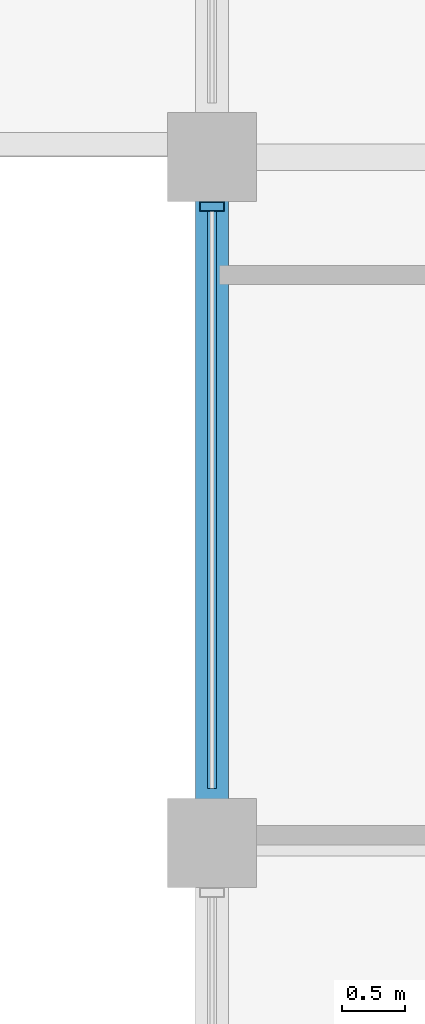
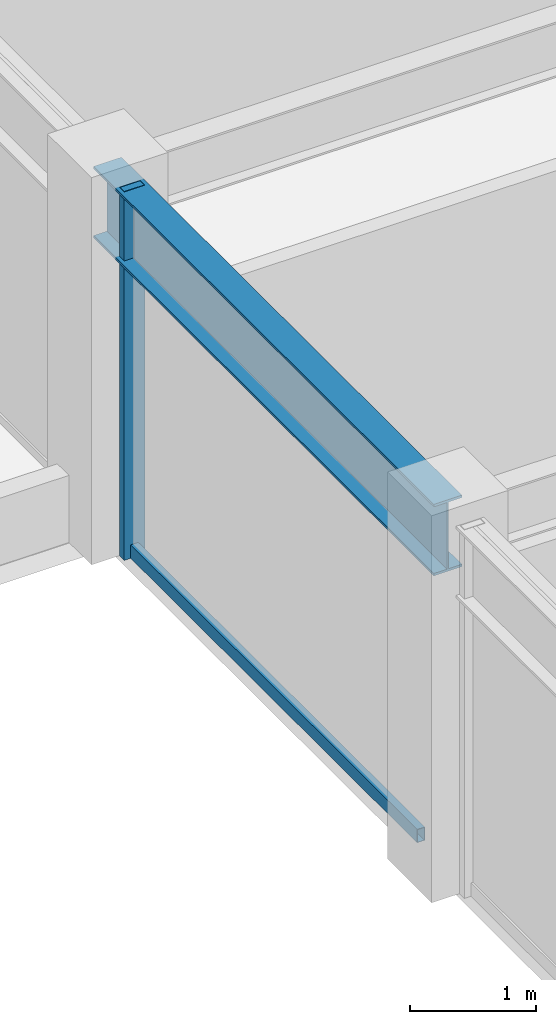
# One storey, part 6 of 29: 2 members, 1 beam, 1 element without a shape of its own.
"""IFC4 building model written with IfcOpenShell, lengths in metres."""

from ifc_helpers import new_model, si_unit, direction, frame, origin, origin_2d, place, context, subcontext, project, spatial, hollow_rectangle, i_section, extrude, material, layer, layer_set, material_profile, profile_set, type_object, element, aggregate, save


model = new_model("IFC4")

# Units and contexts
model_context = context("Model", 3, precision=1e-05, world=origin(), true_north=direction((0.0, 1.0)))
body_context = subcontext(model_context, "Body", "Model", "MODEL_VIEW")
ifc_project = project(units=[si_unit("LENGTHUNIT", "METRE"), si_unit("AREAUNIT", "SQUARE_METRE"), si_unit("VOLUMEUNIT", "CUBIC_METRE"), si_unit("PLANEANGLEUNIT", "RADIAN"), si_unit("MASSUNIT", "GRAM", prefix="KILO")], contexts=[model_context])

# Site, building, storey
site_placement = place(None, origin())
site = spatial("IfcSite", under=ifc_project, at=site_placement, CompositionType="ELEMENT")
building_placement = place(site_placement, origin())
building = spatial("IfcBuilding", under=site, at=building_placement, Name="Surkhivell Harbour Commons", CompositionType="ELEMENT")
storey_placement = place(building_placement, frame((0.0, 0.0, 326.25)))
storey = spatial("IfcBuildingStorey", under=building, at=storey_placement, Name="L85", CompositionType="ELEMENT", Elevation=326.25)

# Beam
ifc_material_1 = material(Name="Steel S355", Category="steel")
ifc_material_profile_1 = material_profile(ifc_material_1, i_section(OverallWidth=0.256103515625, OverallDepth=0.693115234375, WebThickness=0.014404296875, FlangeThickness=0.023681640625, at=origin_2d()), Name="UB686x254x170")
ifc_profile_set_1 = profile_set([ifc_material_profile_1], Name="Steel S355")
beam_type = type_object("IfcBeamType", Name="BM-SPN-686", PredefinedType="SPANDREL", material=ifc_profile_set_1)
beam_placement = place(storey_placement, frame((-27.0, -5.39990234375, 3.223388671875), z_axis=(0.0, 1.0, 0.0), x_axis=(-1.0, 0.0, 0.0)))
element("IfcBeam", 1, at=beam_placement, inside=storey, type_object=beam_type, Name="L85 Tube Spandrel (-27.0,-5.4)", PredefinedType="SPANDREL", context=body_context, shape_type="SweptSolid", body=[
    extrude(i_section(OverallWidth=0.256103515625, OverallDepth=0.693115234375, WebThickness=0.014404296875, FlangeThickness=0.023681640625, at=origin_2d()), origin(), (0.0, 0.0, 1.0), 5.39990234375),
])

# Curtain wall, members
ifc_material_2 = material(Name="Anodised pale-metal aluminium and insulated glazing", Category="aluminium")
ifc_layer = layer(ifc_material_2, 0.175048828125)
ifc_layer_set = layer_set([ifc_layer], Name="Anodised pale-metal aluminium and insulated glazing")
curtain_wall_type = type_object("IfcCurtainWallType", Name="CW-SYS-Z4", PredefinedType="NOTDEFINED", material=ifc_layer_set)
curtain_wall_placement = place(storey_placement, origin())
curtain_wall = element("IfcCurtainWall", 2, at=curtain_wall_placement, inside=storey, type_object=curtain_wall_type, Name="L85 Curtain Wall CW-L85-E12S1", PredefinedType="NOTDEFINED")
ifc_material_3 = material(Name="Anodised pale-metal aluminium alloy 6063-T6", Category="aluminium")
ifc_material_profile_2 = material_profile(ifc_material_3, hollow_rectangle(XDim=0.074951171875, YDim=0.18994140625, WallThickness=0.00390625, at=origin_2d()), Name="ALU-MULL-75x190")
ifc_profile_set_2 = profile_set([ifc_material_profile_2], Name="Anodised pale-metal aluminium alloy 6063-T6")
member_type_1 = type_object("IfcMemberType", Name="CWM-190", PredefinedType="MULLION", material=ifc_profile_set_2)
member_1_placement = place(storey_placement, frame((-27.0, -0.389404296875, 0.0), z_axis=(0.0, 0.0, 1.0), x_axis=(0.0, -1.0, 0.0)))
member_1 = element("IfcMember", 3, at=member_1_placement, type_object=member_type_1, Name="CW-Z4 mullion 5", PredefinedType="MULLION", context=body_context, shape_type="SweptSolid", body=[
    extrude(hollow_rectangle(XDim=0.074951171875, YDim=0.18994140625, WallThickness=0.00390625, at=origin_2d()), origin(), (0.0, 0.0, 1.0), 3.570068359375),
])
ifc_material_4 = material(Name="Champagne anodised aluminium alloy 6063-T6", Category="aluminium")
ifc_material_profile_3 = material_profile(ifc_material_4, hollow_rectangle(XDim=0.070068359375, YDim=0.1298828125, WallThickness=0.00341796875, at=origin_2d()), Name="ALU-TRAN-70x130")
ifc_profile_set_3 = profile_set([ifc_material_profile_3], Name="Champagne anodised aluminium alloy 6063-T6")
member_type_2 = type_object("IfcMemberType", Name="CWT-130", PredefinedType="USERDEFINED", material=ifc_profile_set_3)
member_2_placement = place(storey_placement, frame((-27.0, -0.427001953125, 0.06494140625), z_axis=(0.0, -1.0, 0.0), x_axis=(1.0, 0.0, 0.0)))
member_2 = element("IfcMember", 4, at=member_2_placement, type_object=member_type_2, Name="CW-Z4 transom 5.1", ObjectType="TRANSOM", PredefinedType="USERDEFINED", context=body_context, shape_type="SweptSolid", body=[
    extrude(hollow_rectangle(XDim=0.070068359375, YDim=0.1298828125, WallThickness=0.00341796875, at=origin_2d()), origin(), (0.0, 0.0, 1.0), 4.5458984375),
])
aggregate(curtain_wall, [member_1, member_2])

save(model, "model.ifc")
